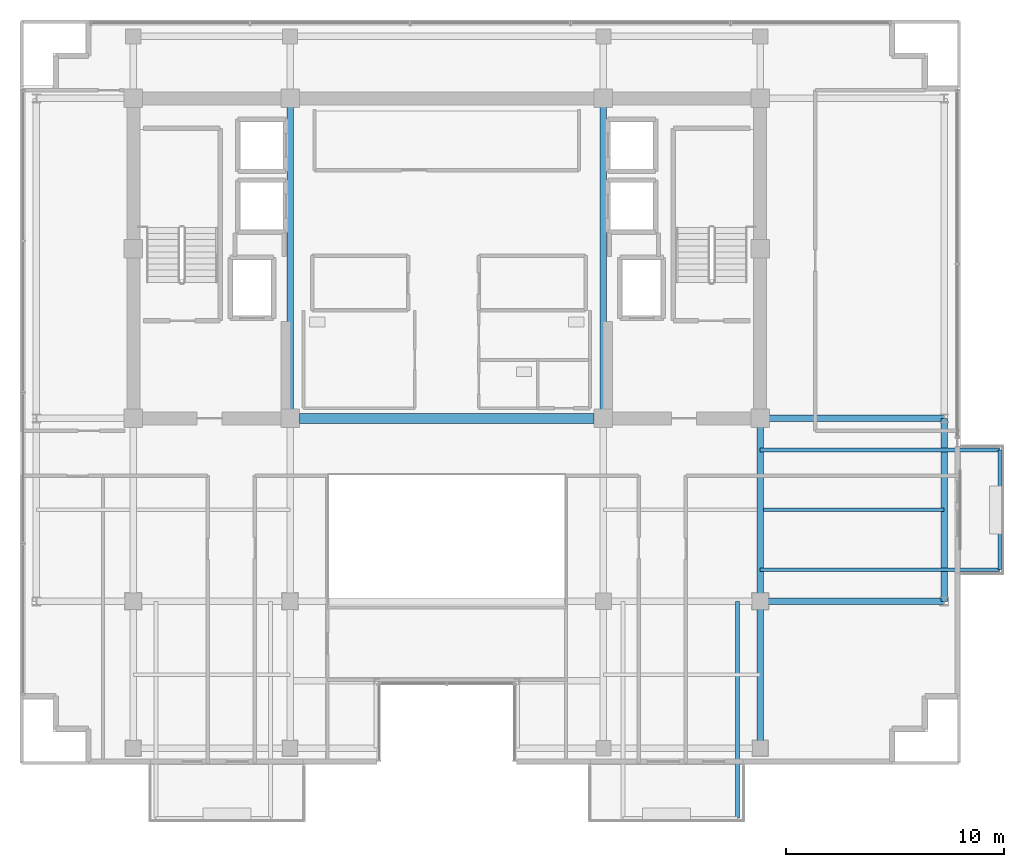
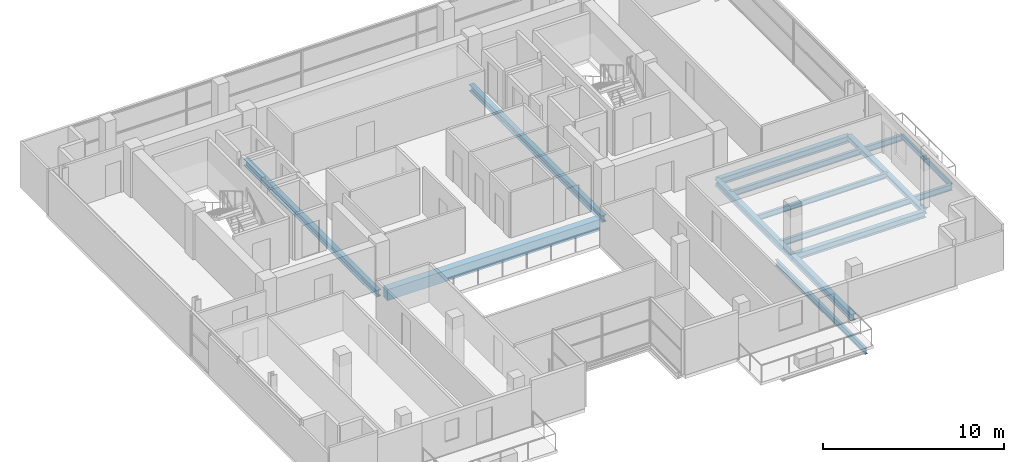
# One storey, part 8 of 22: 13 beams.
"""IFC4 building model written with IfcOpenShell, lengths in metres."""

from ifc_helpers import new_model, si_unit, direction, frame, origin, origin_2d, place, context, subcontext, project, spatial, rectangle, i_section, extrude, material, material_profile, profile_set, type_object, element, save


model = new_model("IFC4")

# Units and contexts
model_context = context("Model", 3, precision=1e-05, world=origin(), true_north=direction((0.0, 1.0)))
body_context = subcontext(model_context, "Body", "Model", "MODEL_VIEW")
ifc_project = project(units=[si_unit("LENGTHUNIT", "METRE"), si_unit("AREAUNIT", "SQUARE_METRE"), si_unit("VOLUMEUNIT", "CUBIC_METRE"), si_unit("PLANEANGLEUNIT", "RADIAN"), si_unit("MASSUNIT", "GRAM", prefix="KILO")], contexts=[model_context])

# Site, building, storey
site_placement = place(None, origin())
site = spatial("IfcSite", under=ifc_project, at=site_placement, CompositionType="ELEMENT")
building_placement = place(site_placement, origin())
building = spatial("IfcBuilding", under=site, at=building_placement, Name="Zarnakvel Exchange Tower", CompositionType="ELEMENT")
storey_placement = place(building_placement, frame((0.0, 0.0, 238.60009765625)))
storey = spatial("IfcBuildingStorey", under=building, at=storey_placement, Name="L67", CompositionType="ELEMENT", Elevation=238.60009765625)

# Beams
ifc_material_1 = material(Name="Steel S355", Category="steel")
ifc_material_profile_1 = material_profile(ifc_material_1, i_section(OverallWidth=0.179931640625, OverallDepth=0.39990234375, WebThickness=0.008544921875, FlangeThickness=0.013427734375, FilletRadius=0.02099609375, at=origin_2d()))
ifc_profile_set_1 = profile_set([ifc_material_profile_1], Name="Steel S355")
beam_type_1 = type_object("IfcBeamType", Name="B-06", PredefinedType="JOIST", material=ifc_profile_set_1)
beam_1_placement = place(storey_placement, frame((13.35009765625, -9.60009765625, -0.425048828125), z_axis=(0.0, -1.0, 0.0), x_axis=(1.0, 0.0, 0.0)))
element("IfcBeam", 1, at=beam_1_placement, inside=storey, type_object=beam_type_1, Name="L67 Continuous Back-Spanned Balcony Beam E", PredefinedType="JOIST", context=body_context, shape_type="SweptSolid", body=[
    extrude(i_section(OverallWidth=0.179931640625, OverallDepth=0.39990234375, WebThickness=0.008544921875, FlangeThickness=0.013427734375, FilletRadius=0.02099609375, at=origin_2d()), origin(), (0.0, 0.0, 1.0), 9.949951171875),
])
for number, where, z_axis, x_axis, name in (
    (2, (14.39990234375, -8.14990234375, -0.425048828125), (1.0, 0.0, 0.0), (0.0, 1.0, 0.0), "L67 Continuous East Loggia Beam S"),
    (3, (14.39990234375, -2.64990234375, -0.425048828125), (1.0, 0.0, 0.0), (0.0, 1.0, 0.0), "L67 Continuous East Loggia Beam N"),
):
    element("IfcBeam", number, at=place(storey_placement, frame(where, z_axis=z_axis, x_axis=x_axis)), inside=storey, type_object=beam_type_1, Name=name, PredefinedType="JOIST", context=body_context, shape_type="SweptSolid", body=[
        extrude(i_section(OverallWidth=0.179931640625, OverallDepth=0.39990234375, WebThickness=0.008544921875, FlangeThickness=0.013427734375, FilletRadius=0.02099609375, at=origin_2d()), origin(), (0.0, 0.0, 1.0), 11.0),
    ])
ifc_material_profile_2 = material_profile(ifc_material_1, i_section(OverallWidth=0.169921875, OverallDepth=0.360107421875, WebThickness=0.008056640625, FlangeThickness=0.0126953125, FilletRadius=0.01806640625, at=origin_2d()))
ifc_profile_set_2 = profile_set([ifc_material_profile_2], Name="Steel S355")
beam_type_2 = type_object("IfcBeamType", Name="B-07", PredefinedType="JOIST", material=ifc_profile_set_2)
beam_2_placement = place(storey_placement, frame((14.550048828125, -5.39990234375, -0.405029296875), z_axis=(1.0, 0.0, 0.0), x_axis=(0.0, 1.0, 0.0)))
element("IfcBeam", 4, at=beam_2_placement, inside=storey, type_object=beam_type_2, Name="L67 Composite Floor Secondary Joist", PredefinedType="JOIST", context=body_context, shape_type="SweptSolid", body=[
    extrude(i_section(OverallWidth=0.169921875, OverallDepth=0.360107421875, WebThickness=0.008056640625, FlangeThickness=0.0126953125, FilletRadius=0.01806640625, at=origin_2d()), origin(), (0.0, 0.0, 1.0), 8.300048828125),
])
ifc_material_profile_3 = material_profile(ifc_material_1, i_section(OverallWidth=0.14990234375, OverallDepth=0.300048828125, WebThickness=0.007080078125, FlangeThickness=0.0107421875, FilletRadius=0.014892578125, at=origin_2d()))
ifc_profile_set_3 = profile_set([ifc_material_profile_3], Name="Steel S355")
beam_type_3 = type_object("IfcBeamType", Name="B-08", PredefinedType="JOIST", material=ifc_profile_set_3)
beam_3_placement = place(storey_placement, frame((25.39990234375, -8.14990234375, -0.375), z_axis=(0.0, 1.0, 0.0), x_axis=(-1.0, 0.0, 0.0)))
element("IfcBeam", 5, at=beam_3_placement, inside=storey, type_object=beam_type_3, Name="L67 East Loggia Edge Beam", PredefinedType="JOIST", context=body_context, shape_type="SweptSolid", body=[
    extrude(i_section(OverallWidth=0.14990234375, OverallDepth=0.300048828125, WebThickness=0.007080078125, FlangeThickness=0.0107421875, FilletRadius=0.014892578125, at=origin_2d()), origin(), (0.0, 0.0, 1.0), 5.5),
])
ifc_material_2 = material(Name="Concrete C50/60", Category="concrete")
ifc_material_profile_4 = material_profile(ifc_material_2, rectangle(XDim=0.449951171875, YDim=0.75, at=origin_2d()))
ifc_profile_set_4 = profile_set([ifc_material_profile_4], Name="Concrete C50/60")
beam_type_4 = type_object("IfcBeamType", Name="CB-03", PredefinedType="LINTEL", material=ifc_profile_set_4)
beam_4_placement = place(storey_placement, frame((-6.77490234375, -1.199951171875, -0.60009765625), z_axis=(1.0, 0.0, 0.0), x_axis=(0.0, 1.0, 0.0)))
element("IfcBeam", 6, at=beam_4_placement, inside=storey, type_object=beam_type_4, Name="L67 Rear Core South Coupling Beam (CB-03)", PredefinedType="LINTEL", context=body_context, shape_type="SweptSolid", body=[
    extrude(rectangle(XDim=0.449951171875, YDim=0.75, at=origin_2d()), origin(), (0.0, 0.0, 1.0), 13.5498046875),
])
ifc_material_profile_5 = material_profile(ifc_material_1, i_section(OverallWidth=0.300048828125, OverallDepth=0.449951171875, WebThickness=0.013916015625, FlangeThickness=0.02587890625, FilletRadius=0.027099609375, at=origin_2d()))
ifc_profile_set_5 = profile_set([ifc_material_profile_5], Name="Steel S355")
beam_type_5 = type_object("IfcBeamType", Name="G-07", PredefinedType="BEAM", material=ifc_profile_set_5)
for number, where, z_axis, x_axis, name in (
    (7, (14.39990234375, -9.60009765625, -0.4501953125), (1.0, 0.0, 0.0), (0.0, 1.0, 0.0), "L67 Tower E-W Frame Beam"),
    (8, (14.39990234375, -1.199951171875, -0.4501953125), (1.0, 0.0, 0.0), (0.0, 1.0, 0.0), "L67 Tower E-W Frame Beam"),
):
    element("IfcBeam", number, at=place(storey_placement, frame(where, z_axis=z_axis, x_axis=x_axis)), inside=storey, type_object=beam_type_5, Name=name, PredefinedType="BEAM", context=body_context, shape_type="SweptSolid", body=[
        extrude(i_section(OverallWidth=0.300048828125, OverallDepth=0.449951171875, WebThickness=0.013916015625, FlangeThickness=0.02587890625, FilletRadius=0.027099609375, at=origin_2d()), origin(), (0.0, 0.0, 1.0), 8.4501953125),
    ])
for number, where, z_axis, x_axis, name in (
    (9, (-7.199951171875, -1.199951171875, -0.4501953125), (0.0, 1.0, 0.0), (-1.0, 0.0, 0.0), "L67 Tower N-S Frame Beam"),
    (10, (7.199951171875, -1.199951171875, -0.4501953125), (0.0, 1.0, 0.0), (-1.0, 0.0, 0.0), "L67 Tower N-S Frame Beam"),
):
    element("IfcBeam", number, at=place(storey_placement, frame(where, z_axis=z_axis, x_axis=x_axis)), inside=storey, type_object=beam_type_5, Name=name, PredefinedType="BEAM", context=body_context, shape_type="SweptSolid", body=[
        extrude(i_section(OverallWidth=0.300048828125, OverallDepth=0.449951171875, WebThickness=0.013916015625, FlangeThickness=0.02587890625, FilletRadius=0.027099609375, at=origin_2d()), origin(), (0.0, 0.0, 1.0), 14.699951171875),
    ])
beam_5_placement = place(storey_placement, frame((14.39990234375, -16.35009765625, -0.4501953125), z_axis=(0.0, 1.0, 0.0), x_axis=(-1.0, 0.0, 0.0)))
element("IfcBeam", 11, at=beam_5_placement, inside=storey, type_object=beam_type_5, Name="L67 Tower N-S Frame Beam", PredefinedType="BEAM", context=body_context, shape_type="SweptSolid", body=[
    extrude(i_section(OverallWidth=0.300048828125, OverallDepth=0.449951171875, WebThickness=0.013916015625, FlangeThickness=0.02587890625, FilletRadius=0.027099609375, at=origin_2d()), origin(), (0.0, 0.0, 1.0), 6.75),
])
beam_6_placement = place(storey_placement, frame((14.39990234375, -9.60009765625, -0.4501953125), z_axis=(0.0, 1.0, 0.0), x_axis=(-1.0, 0.0, 0.0)))
element("IfcBeam", 12, at=beam_6_placement, inside=storey, type_object=beam_type_5, Name="L67 Tower N-S Frame Beam", PredefinedType="BEAM", context=body_context, shape_type="SweptSolid", body=[
    extrude(i_section(OverallWidth=0.300048828125, OverallDepth=0.449951171875, WebThickness=0.013916015625, FlangeThickness=0.02587890625, FilletRadius=0.027099609375, at=origin_2d()), origin(), (0.0, 0.0, 1.0), 8.400146484375),
])
ifc_material_profile_6 = material_profile(ifc_material_1, i_section(OverallWidth=0.300048828125, OverallDepth=0.300048828125, WebThickness=0.010986328125, FlangeThickness=0.01904296875, FilletRadius=0.027099609375, at=origin_2d()))
ifc_profile_set_6 = profile_set([ifc_material_profile_6], Name="Steel S355")
beam_type_6 = type_object("IfcBeamType", Name="SP-03", PredefinedType="SPANDREL", material=ifc_profile_set_6)
beam_7_placement = place(storey_placement, frame((22.85009765625, -9.60009765625, -0.375), z_axis=(0.0, 1.0, 0.0), x_axis=(-1.0, 0.0, 0.0)))
element("IfcBeam", 13, at=beam_7_placement, inside=storey, type_object=beam_type_6, Name="L67 Tower N-S Frame Beam", PredefinedType="SPANDREL", context=body_context, shape_type="SweptSolid", body=[
    extrude(i_section(OverallWidth=0.300048828125, OverallDepth=0.300048828125, WebThickness=0.010986328125, FlangeThickness=0.01904296875, FilletRadius=0.027099609375, at=origin_2d()), origin(), (0.0, 0.0, 1.0), 8.400146484375),
])

save(model, "model.ifc")
